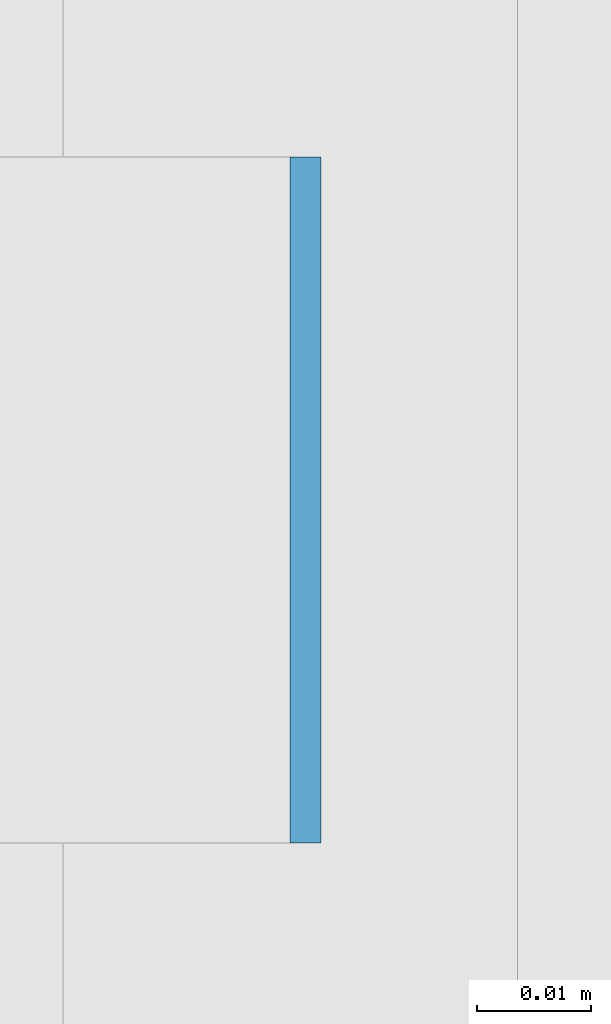
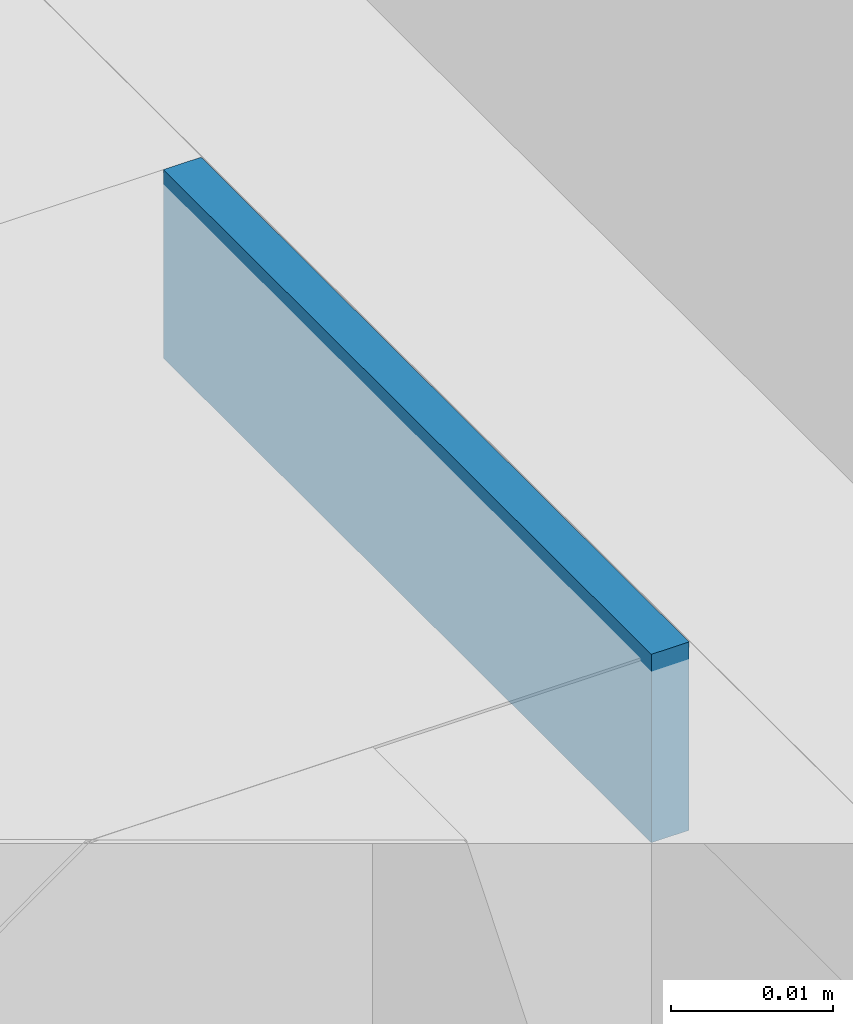
# One storey, part 385 of 646: 1 discrete accessory.
"""IFC4 building model written with IfcOpenShell, lengths in metres."""

from ifc_helpers import new_model, si_unit, direction, frame, origin, origin_2d, place, context, subcontext, project, spatial, rectangle, extrude, material, type_object, element, save


model = new_model("IFC4")

# Units and contexts
model_context = context("Model", 3, precision=1e-05, world=origin(), true_north=direction((0.0, 1.0)))
body_context = subcontext(model_context, "Body", "Model", "MODEL_VIEW")
ifc_project = project(units=[si_unit("LENGTHUNIT", "METRE"), si_unit("AREAUNIT", "SQUARE_METRE"), si_unit("VOLUMEUNIT", "CUBIC_METRE"), si_unit("PLANEANGLEUNIT", "RADIAN"), si_unit("MASSUNIT", "GRAM", prefix="KILO")], contexts=[model_context])

# Site, building, storey
site_placement = place(None, origin())
site = spatial("IfcSite", under=ifc_project, at=site_placement, CompositionType="ELEMENT")
building_placement = place(site_placement, origin())
building = spatial("IfcBuilding", under=site, at=building_placement, Name="Silverbay Arena", CompositionType="ELEMENT")
storey_placement = place(building_placement, frame((0.0, 0.0, 33.5)))
storey = spatial("IfcBuildingStorey", under=building, at=storey_placement, Name="L05", CompositionType="ELEMENT", Elevation=33.5)

# Discrete accessory
ifc_material = material(Name="Steel S355", Category="steel")
discrete_accessory_type = type_object("IfcDiscreteAccessoryType", Name="Steel bracket plate", PredefinedType="BRACKET", material=ifc_material)
discrete_accessory_placement = place(storey_placement, frame((53.871337890625, 110.571533203125, 12.98583984375), z_axis=(0.0, 0.0, 1.0), x_axis=(1.0, 0.0, 0.0)))
element("IfcDiscreteAccessory", 1, at=discrete_accessory_placement, inside=storey, type_object=discrete_accessory_type, Name="Curtain wall packing plate", PredefinedType="BRACKET", context=body_context, shape_type="SweptSolid", body=[
    extrude(rectangle(XDim=0.002685546875, YDim=0.06005859375, at=origin_2d()), origin(), (0.0, 0.0, 1.0), 0.01416015625),
])

save(model, "model.ifc")
